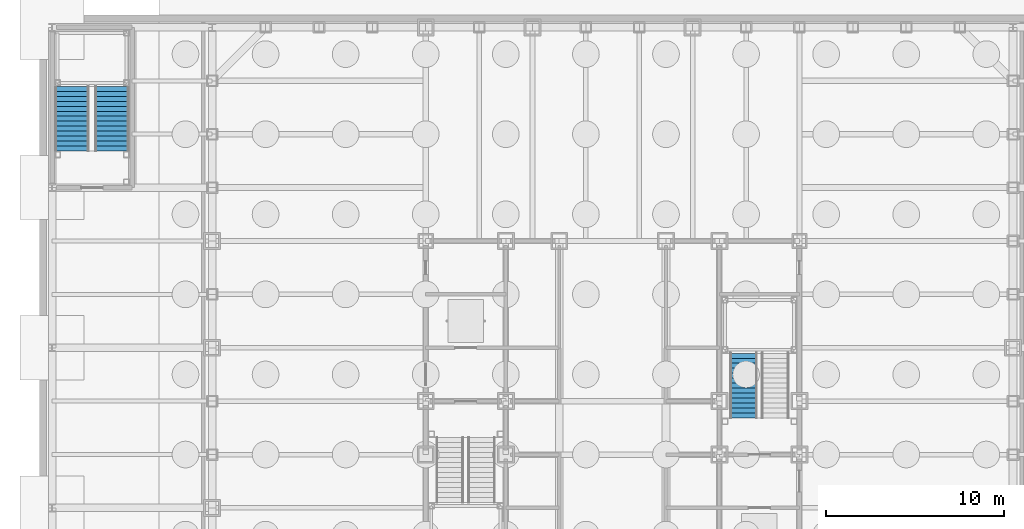
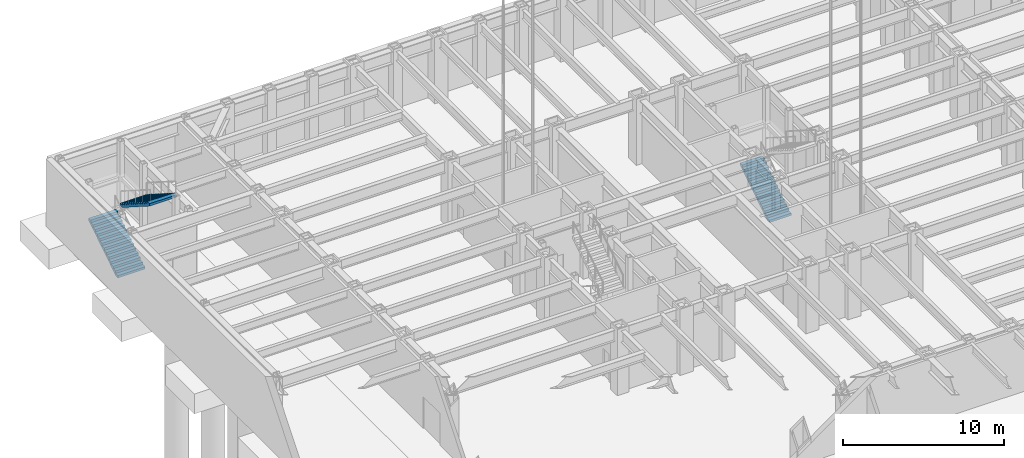
# One storey, part 11 of 18: 3 stair flights, 2 elements without a shape of their own.
"""IFC4 building model written with IfcOpenShell, lengths in metres."""

from ifc_helpers import new_model, si_unit, direction, frame, origin, place, context, subcontext, project, spatial, faceted_brep, material, type_object, element, aggregate, save


model = new_model("IFC4")

# Units and contexts
model_context = context("Model", 3, precision=1e-05, world=origin(), true_north=direction((0.0, 1.0)))
body_context = subcontext(model_context, "Body", "Model", "MODEL_VIEW")
ifc_project = project(units=[si_unit("LENGTHUNIT", "METRE"), si_unit("AREAUNIT", "SQUARE_METRE"), si_unit("VOLUMEUNIT", "CUBIC_METRE"), si_unit("PLANEANGLEUNIT", "RADIAN"), si_unit("MASSUNIT", "GRAM", prefix="KILO")], contexts=[model_context])

# Site, building, storey
site_placement = place(None, origin())
site = spatial("IfcSite", under=ifc_project, at=site_placement, CompositionType="ELEMENT")
building_placement = place(site_placement, origin())
building = spatial("IfcBuilding", under=site, at=building_placement, Name="Chuquiago Exchange Tower", CompositionType="ELEMENT")
storey_placement = place(building_placement, frame((0.0, 0.0, -5.0)))
storey = spatial("IfcBuildingStorey", under=building, at=storey_placement, Name="B1", CompositionType="ELEMENT", Elevation=-5.0)

# Stair, stair flight
ifc_material_1 = material(Name="Concrete C30/37, precast", Category="concrete")
stair_type_1 = type_object("IfcStairType", Name="ST2 half-turn stair 5000", PredefinedType="HALF_TURN_STAIR", material=ifc_material_1)
stair_1_placement = place(storey_placement, origin())
stair_1 = element("IfcStair", 1, at=stair_1_placement, inside=storey, type_object=stair_type_1, Name="Stair ST2 B1", PredefinedType="HALF_TURN_STAIR")
ifc_material_2 = material(Name="Concrete C30/37, precast", Category="concrete")
stair_flight_type_1 = type_object("IfcStairFlightType", Name="ST-F flight 1570 for 5000 storey", PredefinedType="STRAIGHT", material=ifc_material_2)
stair_flight_1_placement = place(storey_placement, frame((29.860107421875, 23.050048828125, 0.0), z_axis=(0.0, 0.0, 1.0), x_axis=(0.0, 1.0, 0.0)))
stair_flight_1 = element("IfcStairFlight", 2, at=stair_flight_1_placement, type_object=stair_flight_type_1, Name="ST2 flight 1", NumberOfRisers=14, NumberOfTreads=13, PredefinedType="STRAIGHT", RiserHeight=0.178571429, TreadLength=0.28, context=body_context, shape_type="Brep", body=[
    faceted_brep([(0.0, 0.78515625, 0.0), (0.0, 0.78515625, 0.178466796875), (0.280029296875, 0.78515625, 0.178466796875), (0.280029296875, 0.78515625, 0.357177734375), (0.56005859375, 0.78515625, 0.357177734375), (0.56005859375, 0.78515625, 0.53564453125), (0.840087890625, 0.78515625, 0.53564453125), (0.840087890625, 0.78515625, 0.71435546875), (1.1201171875, 0.78515625, 0.71435546875), (1.1201171875, 0.78515625, 0.892822265625), (1.39990234375, 0.78515625, 0.892822265625), (1.39990234375, 0.78515625, 1.071533203125), (1.679931640625, 0.78515625, 1.071533203125), (1.679931640625, 0.78515625, 1.25), (1.9599609375, 0.78515625, 1.25), (1.9599609375, 0.78515625, 1.428466796875), (2.239990234375, 0.78515625, 1.428466796875), (2.239990234375, 0.78515625, 1.607177734375), (2.52001953125, 0.78515625, 1.607177734375), (2.52001953125, 0.78515625, 1.78564453125), (2.800048828125, 0.78515625, 1.78564453125), (2.800048828125, 0.78515625, 1.96435546875), (3.080078125, 0.78515625, 1.96435546875), (3.080078125, 0.78515625, 2.142822265625), (3.360107421875, 0.78515625, 2.142822265625), (3.360107421875, 0.78515625, 2.321533203125), (3.639892578125, 0.78515625, 2.321533203125), (3.639892578125, 0.78515625, 2.1435546875), (0.27880859375, 0.78515625, 0.0), (0.27880859375, -0.78515625, 0.0), (3.639892578125, -0.78515625, 2.1435546875), (3.639892578125, -0.78515625, 2.321533203125), (3.360107421875, -0.78515625, 2.321533203125), (3.360107421875, -0.78515625, 2.142822265625), (3.080078125, -0.78515625, 2.142822265625), (3.080078125, -0.78515625, 1.96435546875), (2.800048828125, -0.78515625, 1.96435546875), (2.800048828125, -0.78515625, 1.78564453125), (2.52001953125, -0.78515625, 1.78564453125), (2.52001953125, -0.78515625, 1.607177734375), (2.239990234375, -0.78515625, 1.607177734375), (2.239990234375, -0.78515625, 1.428466796875), (1.9599609375, -0.78515625, 1.428466796875), (1.9599609375, -0.78515625, 1.25), (1.679931640625, -0.78515625, 1.25), (1.679931640625, -0.78515625, 1.071533203125), (1.39990234375, -0.78515625, 1.071533203125), (1.39990234375, -0.78515625, 0.892822265625), (1.1201171875, -0.78515625, 0.892822265625), (1.1201171875, -0.78515625, 0.71435546875), (0.840087890625, -0.78515625, 0.71435546875), (0.840087890625, -0.78515625, 0.53564453125), (0.56005859375, -0.78515625, 0.53564453125), (0.56005859375, -0.78515625, 0.357177734375), (0.280029296875, -0.78515625, 0.357177734375), (0.280029296875, -0.78515625, 0.178466796875), (0.0, -0.78515625, 0.178466796875), (0.0, -0.78515625, 0.0), (0.0, 0.392578125, 0.0), (0.0, 0.392578125, 0.178466796875), (0.0, 0.0, 0.0), (0.0, 0.0, 0.178466796875), (0.0, -0.392578125, 0.0), (0.0, -0.392578125, 0.178466796875), (0.280029296875, 0.392578125, 0.178466796875), (0.280029296875, 0.0, 0.178466796875), (0.280029296875, -0.392578125, 0.178466796875), (0.280029296875, 0.392578125, 0.357177734375), (0.280029296875, 0.0, 0.357177734375), (0.280029296875, -0.392578125, 0.357177734375), (0.56005859375, 0.392578125, 0.357177734375), (0.56005859375, 0.0, 0.357177734375), (0.56005859375, -0.392578125, 0.357177734375), (0.56005859375, 0.392578125, 0.53564453125), (0.56005859375, 0.0, 0.53564453125), (0.56005859375, -0.392578125, 0.53564453125), (0.840087890625, 0.392578125, 0.53564453125), (0.840087890625, 0.0, 0.53564453125), (0.840087890625, -0.392578125, 0.53564453125), (0.840087890625, 0.392578125, 0.71435546875), (0.840087890625, 0.0, 0.71435546875), (0.840087890625, -0.392578125, 0.71435546875), (1.1201171875, 0.392578125, 0.71435546875), (1.1201171875, 0.0, 0.71435546875), (1.1201171875, -0.392578125, 0.71435546875), (1.1201171875, 0.392578125, 0.892822265625), (1.1201171875, 0.0, 0.892822265625), (1.1201171875, -0.392578125, 0.892822265625), (1.39990234375, 0.392578125, 0.892822265625), (1.39990234375, 0.0, 0.892822265625), (1.39990234375, -0.392578125, 0.892822265625), (1.39990234375, 0.392578125, 1.071533203125), (1.39990234375, 0.0, 1.071533203125), (1.39990234375, -0.392578125, 1.071533203125), (1.679931640625, 0.392578125, 1.071533203125), (1.679931640625, 0.0, 1.071533203125), (1.679931640625, -0.392578125, 1.071533203125), (1.679931640625, 0.392578125, 1.25), (1.679931640625, 0.0, 1.25), (1.679931640625, -0.392578125, 1.25), (1.9599609375, 0.392578125, 1.25), (1.9599609375, 0.0, 1.25), (1.9599609375, -0.392578125, 1.25), (1.9599609375, 0.392578125, 1.428466796875), (1.9599609375, 0.0, 1.428466796875), (1.9599609375, -0.392578125, 1.428466796875), (2.239990234375, 0.392578125, 1.428466796875), (2.239990234375, 0.0, 1.428466796875), (2.239990234375, -0.392578125, 1.428466796875), (2.239990234375, 0.392578125, 1.607177734375), (2.239990234375, 0.0, 1.607177734375), (2.239990234375, -0.392578125, 1.607177734375), (2.52001953125, 0.392578125, 1.607177734375), (2.52001953125, 0.0, 1.607177734375), (2.52001953125, -0.392578125, 1.607177734375), (2.52001953125, 0.392578125, 1.78564453125), (2.52001953125, 0.0, 1.78564453125), (2.52001953125, -0.392578125, 1.78564453125), (2.800048828125, 0.392578125, 1.78564453125), (2.800048828125, 0.0, 1.78564453125), (2.800048828125, -0.392578125, 1.78564453125), (2.800048828125, 0.392578125, 1.96435546875), (2.800048828125, 0.0, 1.96435546875), (2.800048828125, -0.392578125, 1.96435546875), (3.080078125, 0.392578125, 1.96435546875), (3.080078125, 0.0, 1.96435546875), (3.080078125, -0.392578125, 1.96435546875), (3.080078125, 0.392578125, 2.142822265625), (3.080078125, 0.0, 2.142822265625), (3.080078125, -0.392578125, 2.142822265625), (3.360107421875, 0.392578125, 2.142822265625), (3.360107421875, 0.0, 2.142822265625), (3.360107421875, -0.392578125, 2.142822265625), (3.360107421875, 0.392578125, 2.321533203125), (3.360107421875, 0.0, 2.321533203125), (3.360107421875, -0.392578125, 2.321533203125), (3.639892578125, 0.392578125, 2.321533203125), (3.639892578125, 0.0, 2.321533203125), (3.639892578125, -0.392578125, 2.321533203125), (3.639892578125, 0.392578125, 2.1435546875), (3.639892578125, 0.0, 2.1435546875), (3.639892578125, -0.392578125, 2.1435546875), (0.27880859375, 0.392578125, 0.0), (0.27880859375, 0.0, 0.0), (0.27880859375, -0.392578125, 0.0)], [[[0, 1, 2, 3, 4, 5, 6, 7, 8, 9, 10, 11, 12, 13, 14, 15, 16, 17, 18, 19, 20, 21, 22, 23, 24, 25, 26, 27, 28]], [[29, 30, 31, 32, 33, 34, 35, 36, 37, 38, 39, 40, 41, 42, 43, 44, 45, 46, 47, 48, 49, 50, 51, 52, 53, 54, 55, 56, 57]], [[1, 0, 58, 59]], [[59, 58, 60, 61]], [[61, 60, 62, 63]], [[63, 62, 57, 56]], [[2, 1, 59, 64]], [[64, 59, 61, 65]], [[65, 61, 63, 66]], [[66, 63, 56, 55]], [[3, 2, 64, 67]], [[67, 64, 65, 68]], [[68, 65, 66, 69]], [[69, 66, 55, 54]], [[4, 3, 67, 70]], [[70, 67, 68, 71]], [[71, 68, 69, 72]], [[72, 69, 54, 53]], [[5, 4, 70, 73]], [[73, 70, 71, 74]], [[74, 71, 72, 75]], [[75, 72, 53, 52]], [[6, 5, 73, 76]], [[76, 73, 74, 77]], [[77, 74, 75, 78]], [[78, 75, 52, 51]], [[7, 6, 76, 79]], [[79, 76, 77, 80]], [[80, 77, 78, 81]], [[81, 78, 51, 50]], [[8, 7, 79, 82]], [[82, 79, 80, 83]], [[83, 80, 81, 84]], [[84, 81, 50, 49]], [[9, 8, 82, 85]], [[85, 82, 83, 86]], [[86, 83, 84, 87]], [[87, 84, 49, 48]], [[10, 9, 85, 88]], [[88, 85, 86, 89]], [[89, 86, 87, 90]], [[90, 87, 48, 47]], [[11, 10, 88, 91]], [[91, 88, 89, 92]], [[92, 89, 90, 93]], [[93, 90, 47, 46]], [[12, 11, 91, 94]], [[94, 91, 92, 95]], [[95, 92, 93, 96]], [[96, 93, 46, 45]], [[13, 12, 94, 97]], [[97, 94, 95, 98]], [[98, 95, 96, 99]], [[99, 96, 45, 44]], [[14, 13, 97, 100]], [[100, 97, 98, 101]], [[101, 98, 99, 102]], [[102, 99, 44, 43]], [[15, 14, 100, 103]], [[103, 100, 101, 104]], [[104, 101, 102, 105]], [[105, 102, 43, 42]], [[16, 15, 103, 106]], [[106, 103, 104, 107]], [[107, 104, 105, 108]], [[108, 105, 42, 41]], [[17, 16, 106, 109]], [[109, 106, 107, 110]], [[110, 107, 108, 111]], [[111, 108, 41, 40]], [[18, 17, 109, 112]], [[112, 109, 110, 113]], [[113, 110, 111, 114]], [[114, 111, 40, 39]], [[19, 18, 112, 115]], [[115, 112, 113, 116]], [[116, 113, 114, 117]], [[117, 114, 39, 38]], [[20, 19, 115, 118]], [[118, 115, 116, 119]], [[119, 116, 117, 120]], [[120, 117, 38, 37]], [[21, 20, 118, 121]], [[121, 118, 119, 122]], [[122, 119, 120, 123]], [[123, 120, 37, 36]], [[22, 21, 121, 124]], [[124, 121, 122, 125]], [[125, 122, 123, 126]], [[126, 123, 36, 35]], [[23, 22, 124, 127]], [[127, 124, 125, 128]], [[128, 125, 126, 129]], [[129, 126, 35, 34]], [[24, 23, 127, 130]], [[130, 127, 128, 131]], [[131, 128, 129, 132]], [[132, 129, 34, 33]], [[25, 24, 130, 133]], [[133, 130, 131, 134]], [[134, 131, 132, 135]], [[135, 132, 33, 32]], [[26, 25, 133, 136]], [[136, 133, 134, 137]], [[137, 134, 135, 138]], [[138, 135, 32, 31]], [[27, 26, 136, 139]], [[139, 136, 137, 140]], [[140, 137, 138, 141]], [[141, 138, 31, 30]], [[28, 27, 139, 142]], [[142, 139, 140, 143]], [[143, 140, 141, 144]], [[144, 141, 30, 29]], [[0, 28, 142, 58]], [[58, 142, 143, 60]], [[60, 143, 144, 62]], [[62, 144, 29, 57]]]),
])
aggregate(stair_1, [stair_flight_1])

# Stair, stair flights
ifc_material_3 = material(Name="Concrete C30/37, precast", Category="concrete")
stair_type_2 = type_object("IfcStairType", Name="PS3 half-turn stair 5000", PredefinedType="HALF_TURN_STAIR", material=ifc_material_3)
stair_2_placement = place(storey_placement, origin())
stair_2 = element("IfcStair", 3, at=stair_2_placement, inside=storey, type_object=stair_type_2, Name="Stair PS3 B1", PredefinedType="HALF_TURN_STAIR")
ifc_material_4 = material(Name="Concrete C30/37, precast", Category="concrete")
stair_flight_type_2 = type_object("IfcStairFlightType", Name="ST-F flight 1950 for 5000 storey", PredefinedType="STRAIGHT", material=ifc_material_4)
stair_flight_2_placement = place(storey_placement, frame((-7.875, 38.050048828125, 0.0), z_axis=(0.0, 0.0, 1.0), x_axis=(0.0, 1.0, 0.0)))
stair_flight_2 = element("IfcStairFlight", 4, at=stair_flight_2_placement, type_object=stair_flight_type_2, Name="PS3 flight 1", NumberOfRisers=14, NumberOfTreads=13, PredefinedType="STRAIGHT", RiserHeight=0.178571429, TreadLength=0.28, context=body_context, shape_type="Brep", body=[
    faceted_brep([(0.0, 0.97509765625, 0.0), (0.0, 0.97509765625, 0.178466796875), (0.280029296875, 0.97509765625, 0.178466796875), (0.280029296875, 0.97509765625, 0.357177734375), (0.56005859375, 0.97509765625, 0.357177734375), (0.56005859375, 0.97509765625, 0.53564453125), (0.840087890625, 0.97509765625, 0.53564453125), (0.840087890625, 0.97509765625, 0.71435546875), (1.1201171875, 0.97509765625, 0.71435546875), (1.1201171875, 0.97509765625, 0.892822265625), (1.39990234375, 0.97509765625, 0.892822265625), (1.39990234375, 0.97509765625, 1.071533203125), (1.679931640625, 0.97509765625, 1.071533203125), (1.679931640625, 0.97509765625, 1.25), (1.9599609375, 0.97509765625, 1.25), (1.9599609375, 0.97509765625, 1.428466796875), (2.239990234375, 0.97509765625, 1.428466796875), (2.239990234375, 0.97509765625, 1.607177734375), (2.52001953125, 0.97509765625, 1.607177734375), (2.52001953125, 0.97509765625, 1.78564453125), (2.800048828125, 0.97509765625, 1.78564453125), (2.800048828125, 0.97509765625, 1.96435546875), (3.080078125, 0.97509765625, 1.96435546875), (3.080078125, 0.97509765625, 2.142822265625), (3.360107421875, 0.97509765625, 2.142822265625), (3.360107421875, 0.97509765625, 2.321533203125), (3.639892578125, 0.97509765625, 2.321533203125), (3.639892578125, 0.97509765625, 2.1435546875), (0.27880859375, 0.97509765625, 0.0), (0.27880859375, -0.97509765625, 0.0), (3.639892578125, -0.97509765625, 2.1435546875), (3.639892578125, -0.97509765625, 2.321533203125), (3.360107421875, -0.97509765625, 2.321533203125), (3.360107421875, -0.97509765625, 2.142822265625), (3.080078125, -0.97509765625, 2.142822265625), (3.080078125, -0.97509765625, 1.96435546875), (2.800048828125, -0.97509765625, 1.96435546875), (2.800048828125, -0.97509765625, 1.78564453125), (2.52001953125, -0.97509765625, 1.78564453125), (2.52001953125, -0.97509765625, 1.607177734375), (2.239990234375, -0.97509765625, 1.607177734375), (2.239990234375, -0.97509765625, 1.428466796875), (1.9599609375, -0.97509765625, 1.428466796875), (1.9599609375, -0.97509765625, 1.25), (1.679931640625, -0.97509765625, 1.25), (1.679931640625, -0.97509765625, 1.071533203125), (1.39990234375, -0.97509765625, 1.071533203125), (1.39990234375, -0.97509765625, 0.892822265625), (1.1201171875, -0.97509765625, 0.892822265625), (1.1201171875, -0.97509765625, 0.71435546875), (0.840087890625, -0.97509765625, 0.71435546875), (0.840087890625, -0.97509765625, 0.53564453125), (0.56005859375, -0.97509765625, 0.53564453125), (0.56005859375, -0.97509765625, 0.357177734375), (0.280029296875, -0.97509765625, 0.357177734375), (0.280029296875, -0.97509765625, 0.178466796875), (0.0, -0.97509765625, 0.178466796875), (0.0, -0.97509765625, 0.0), (0.0, 0.487548828125, 0.0), (0.0, 0.487548828125, 0.178466796875), (0.0, 0.0, 0.0), (0.0, 0.0, 0.178466796875), (0.0, -0.487548828125, 0.0), (0.0, -0.487548828125, 0.178466796875), (0.280029296875, 0.487548828125, 0.178466796875), (0.280029296875, 0.0, 0.178466796875), (0.280029296875, -0.487548828125, 0.178466796875), (0.280029296875, 0.487548828125, 0.357177734375), (0.280029296875, 0.0, 0.357177734375), (0.280029296875, -0.487548828125, 0.357177734375), (0.56005859375, 0.487548828125, 0.357177734375), (0.56005859375, 0.0, 0.357177734375), (0.56005859375, -0.487548828125, 0.357177734375), (0.56005859375, 0.487548828125, 0.53564453125), (0.56005859375, 0.0, 0.53564453125), (0.56005859375, -0.487548828125, 0.53564453125), (0.840087890625, 0.487548828125, 0.53564453125), (0.840087890625, 0.0, 0.53564453125), (0.840087890625, -0.487548828125, 0.53564453125), (0.840087890625, 0.487548828125, 0.71435546875), (0.840087890625, 0.0, 0.71435546875), (0.840087890625, -0.487548828125, 0.71435546875), (1.1201171875, 0.487548828125, 0.71435546875), (1.1201171875, 0.0, 0.71435546875), (1.1201171875, -0.487548828125, 0.71435546875), (1.1201171875, 0.487548828125, 0.892822265625), (1.1201171875, 0.0, 0.892822265625), (1.1201171875, -0.487548828125, 0.892822265625), (1.39990234375, 0.487548828125, 0.892822265625), (1.39990234375, 0.0, 0.892822265625), (1.39990234375, -0.487548828125, 0.892822265625), (1.39990234375, 0.487548828125, 1.071533203125), (1.39990234375, 0.0, 1.071533203125), (1.39990234375, -0.487548828125, 1.071533203125), (1.679931640625, 0.487548828125, 1.071533203125), (1.679931640625, 0.0, 1.071533203125), (1.679931640625, -0.487548828125, 1.071533203125), (1.679931640625, 0.487548828125, 1.25), (1.679931640625, 0.0, 1.25), (1.679931640625, -0.487548828125, 1.25), (1.9599609375, 0.487548828125, 1.25), (1.9599609375, 0.0, 1.25), (1.9599609375, -0.487548828125, 1.25), (1.9599609375, 0.487548828125, 1.428466796875), (1.9599609375, 0.0, 1.428466796875), (1.9599609375, -0.487548828125, 1.428466796875), (2.239990234375, 0.487548828125, 1.428466796875), (2.239990234375, 0.0, 1.428466796875), (2.239990234375, -0.487548828125, 1.428466796875), (2.239990234375, 0.487548828125, 1.607177734375), (2.239990234375, 0.0, 1.607177734375), (2.239990234375, -0.487548828125, 1.607177734375), (2.52001953125, 0.487548828125, 1.607177734375), (2.52001953125, 0.0, 1.607177734375), (2.52001953125, -0.487548828125, 1.607177734375), (2.52001953125, 0.487548828125, 1.78564453125), (2.52001953125, 0.0, 1.78564453125), (2.52001953125, -0.487548828125, 1.78564453125), (2.800048828125, 0.487548828125, 1.78564453125), (2.800048828125, 0.0, 1.78564453125), (2.800048828125, -0.487548828125, 1.78564453125), (2.800048828125, 0.487548828125, 1.96435546875), (2.800048828125, 0.0, 1.96435546875), (2.800048828125, -0.487548828125, 1.96435546875), (3.080078125, 0.487548828125, 1.96435546875), (3.080078125, 0.0, 1.96435546875), (3.080078125, -0.487548828125, 1.96435546875), (3.080078125, 0.487548828125, 2.142822265625), (3.080078125, 0.0, 2.142822265625), (3.080078125, -0.487548828125, 2.142822265625), (3.360107421875, 0.487548828125, 2.142822265625), (3.360107421875, 0.0, 2.142822265625), (3.360107421875, -0.487548828125, 2.142822265625), (3.360107421875, 0.487548828125, 2.321533203125), (3.360107421875, 0.0, 2.321533203125), (3.360107421875, -0.487548828125, 2.321533203125), (3.639892578125, 0.487548828125, 2.321533203125), (3.639892578125, 0.0, 2.321533203125), (3.639892578125, -0.487548828125, 2.321533203125), (3.639892578125, 0.487548828125, 2.1435546875), (3.639892578125, 0.0, 2.1435546875), (3.639892578125, -0.487548828125, 2.1435546875), (0.27880859375, 0.487548828125, 0.0), (0.27880859375, 0.0, 0.0), (0.27880859375, -0.487548828125, 0.0)], [[[0, 1, 2, 3, 4, 5, 6, 7, 8, 9, 10, 11, 12, 13, 14, 15, 16, 17, 18, 19, 20, 21, 22, 23, 24, 25, 26, 27, 28]], [[29, 30, 31, 32, 33, 34, 35, 36, 37, 38, 39, 40, 41, 42, 43, 44, 45, 46, 47, 48, 49, 50, 51, 52, 53, 54, 55, 56, 57]], [[1, 0, 58, 59]], [[59, 58, 60, 61]], [[61, 60, 62, 63]], [[63, 62, 57, 56]], [[2, 1, 59, 64]], [[64, 59, 61, 65]], [[65, 61, 63, 66]], [[66, 63, 56, 55]], [[3, 2, 64, 67]], [[67, 64, 65, 68]], [[68, 65, 66, 69]], [[69, 66, 55, 54]], [[4, 3, 67, 70]], [[70, 67, 68, 71]], [[71, 68, 69, 72]], [[72, 69, 54, 53]], [[5, 4, 70, 73]], [[73, 70, 71, 74]], [[74, 71, 72, 75]], [[75, 72, 53, 52]], [[6, 5, 73, 76]], [[76, 73, 74, 77]], [[77, 74, 75, 78]], [[78, 75, 52, 51]], [[7, 6, 76, 79]], [[79, 76, 77, 80]], [[80, 77, 78, 81]], [[81, 78, 51, 50]], [[8, 7, 79, 82]], [[82, 79, 80, 83]], [[83, 80, 81, 84]], [[84, 81, 50, 49]], [[9, 8, 82, 85]], [[85, 82, 83, 86]], [[86, 83, 84, 87]], [[87, 84, 49, 48]], [[10, 9, 85, 88]], [[88, 85, 86, 89]], [[89, 86, 87, 90]], [[90, 87, 48, 47]], [[11, 10, 88, 91]], [[91, 88, 89, 92]], [[92, 89, 90, 93]], [[93, 90, 47, 46]], [[12, 11, 91, 94]], [[94, 91, 92, 95]], [[95, 92, 93, 96]], [[96, 93, 46, 45]], [[13, 12, 94, 97]], [[97, 94, 95, 98]], [[98, 95, 96, 99]], [[99, 96, 45, 44]], [[14, 13, 97, 100]], [[100, 97, 98, 101]], [[101, 98, 99, 102]], [[102, 99, 44, 43]], [[15, 14, 100, 103]], [[103, 100, 101, 104]], [[104, 101, 102, 105]], [[105, 102, 43, 42]], [[16, 15, 103, 106]], [[106, 103, 104, 107]], [[107, 104, 105, 108]], [[108, 105, 42, 41]], [[17, 16, 106, 109]], [[109, 106, 107, 110]], [[110, 107, 108, 111]], [[111, 108, 41, 40]], [[18, 17, 109, 112]], [[112, 109, 110, 113]], [[113, 110, 111, 114]], [[114, 111, 40, 39]], [[19, 18, 112, 115]], [[115, 112, 113, 116]], [[116, 113, 114, 117]], [[117, 114, 39, 38]], [[20, 19, 115, 118]], [[118, 115, 116, 119]], [[119, 116, 117, 120]], [[120, 117, 38, 37]], [[21, 20, 118, 121]], [[121, 118, 119, 122]], [[122, 119, 120, 123]], [[123, 120, 37, 36]], [[22, 21, 121, 124]], [[124, 121, 122, 125]], [[125, 122, 123, 126]], [[126, 123, 36, 35]], [[23, 22, 124, 127]], [[127, 124, 125, 128]], [[128, 125, 126, 129]], [[129, 126, 35, 34]], [[24, 23, 127, 130]], [[130, 127, 128, 131]], [[131, 128, 129, 132]], [[132, 129, 34, 33]], [[25, 24, 130, 133]], [[133, 130, 131, 134]], [[134, 131, 132, 135]], [[135, 132, 33, 32]], [[26, 25, 133, 136]], [[136, 133, 134, 137]], [[137, 134, 135, 138]], [[138, 135, 32, 31]], [[27, 26, 136, 139]], [[139, 136, 137, 140]], [[140, 137, 138, 141]], [[141, 138, 31, 30]], [[28, 27, 139, 142]], [[142, 139, 140, 143]], [[143, 140, 141, 144]], [[144, 141, 30, 29]], [[0, 28, 142, 58]], [[58, 142, 143, 60]], [[60, 143, 144, 62]], [[62, 144, 29, 57]]]),
])
stair_flight_3_placement = place(storey_placement, frame((-5.625, 41.68994140625, 2.5), z_axis=(0.0, 0.0, 1.0), x_axis=(0.0, -1.0, 0.0)))
stair_flight_3 = element("IfcStairFlight", 5, at=stair_flight_3_placement, type_object=stair_flight_type_2, Name="PS3 flight 2", NumberOfRisers=14, NumberOfTreads=13, PredefinedType="STRAIGHT", RiserHeight=0.178571429, TreadLength=0.28, context=body_context, shape_type="Brep", body=[
    faceted_brep([(0.0, 0.97509765625, 0.0), (0.0, 0.97509765625, 0.178466796875), (0.280029296875, 0.97509765625, 0.178466796875), (0.280029296875, 0.97509765625, 0.357177734375), (0.56005859375, 0.97509765625, 0.357177734375), (0.56005859375, 0.97509765625, 0.53564453125), (0.840087890625, 0.97509765625, 0.53564453125), (0.840087890625, 0.97509765625, 0.71435546875), (1.1201171875, 0.97509765625, 0.71435546875), (1.1201171875, 0.97509765625, 0.892822265625), (1.39990234375, 0.97509765625, 0.892822265625), (1.39990234375, 0.97509765625, 1.071533203125), (1.679931640625, 0.97509765625, 1.071533203125), (1.679931640625, 0.97509765625, 1.25), (1.9599609375, 0.97509765625, 1.25), (1.9599609375, 0.97509765625, 1.428466796875), (2.239990234375, 0.97509765625, 1.428466796875), (2.239990234375, 0.97509765625, 1.607177734375), (2.52001953125, 0.97509765625, 1.607177734375), (2.52001953125, 0.97509765625, 1.78564453125), (2.800048828125, 0.97509765625, 1.78564453125), (2.800048828125, 0.97509765625, 1.96435546875), (3.080078125, 0.97509765625, 1.96435546875), (3.080078125, 0.97509765625, 2.142822265625), (3.360107421875, 0.97509765625, 2.142822265625), (3.360107421875, 0.97509765625, 2.321533203125), (3.639892578125, 0.97509765625, 2.321533203125), (3.639892578125, 0.97509765625, 2.1435546875), (0.27880859375, 0.97509765625, 0.0), (0.27880859375, -0.97509765625, 0.0), (3.639892578125, -0.97509765625, 2.1435546875), (3.639892578125, -0.97509765625, 2.321533203125), (3.360107421875, -0.97509765625, 2.321533203125), (3.360107421875, -0.97509765625, 2.142822265625), (3.080078125, -0.97509765625, 2.142822265625), (3.080078125, -0.97509765625, 1.96435546875), (2.800048828125, -0.97509765625, 1.96435546875), (2.800048828125, -0.97509765625, 1.78564453125), (2.52001953125, -0.97509765625, 1.78564453125), (2.52001953125, -0.97509765625, 1.607177734375), (2.239990234375, -0.97509765625, 1.607177734375), (2.239990234375, -0.97509765625, 1.428466796875), (1.9599609375, -0.97509765625, 1.428466796875), (1.9599609375, -0.97509765625, 1.25), (1.679931640625, -0.97509765625, 1.25), (1.679931640625, -0.97509765625, 1.071533203125), (1.39990234375, -0.97509765625, 1.071533203125), (1.39990234375, -0.97509765625, 0.892822265625), (1.1201171875, -0.97509765625, 0.892822265625), (1.1201171875, -0.97509765625, 0.71435546875), (0.840087890625, -0.97509765625, 0.71435546875), (0.840087890625, -0.97509765625, 0.53564453125), (0.56005859375, -0.97509765625, 0.53564453125), (0.56005859375, -0.97509765625, 0.357177734375), (0.280029296875, -0.97509765625, 0.357177734375), (0.280029296875, -0.97509765625, 0.178466796875), (0.0, -0.97509765625, 0.178466796875), (0.0, -0.97509765625, 0.0), (0.0, 0.487548828125, 0.0), (0.0, 0.487548828125, 0.178466796875), (0.0, 0.0, 0.0), (0.0, 0.0, 0.178466796875), (0.0, -0.487548828125, 0.0), (0.0, -0.487548828125, 0.178466796875), (0.280029296875, 0.487548828125, 0.178466796875), (0.280029296875, 0.0, 0.178466796875), (0.280029296875, -0.487548828125, 0.178466796875), (0.280029296875, 0.487548828125, 0.357177734375), (0.280029296875, 0.0, 0.357177734375), (0.280029296875, -0.487548828125, 0.357177734375), (0.56005859375, 0.487548828125, 0.357177734375), (0.56005859375, 0.0, 0.357177734375), (0.56005859375, -0.487548828125, 0.357177734375), (0.56005859375, 0.487548828125, 0.53564453125), (0.56005859375, 0.0, 0.53564453125), (0.56005859375, -0.487548828125, 0.53564453125), (0.840087890625, 0.487548828125, 0.53564453125), (0.840087890625, 0.0, 0.53564453125), (0.840087890625, -0.487548828125, 0.53564453125), (0.840087890625, 0.487548828125, 0.71435546875), (0.840087890625, 0.0, 0.71435546875), (0.840087890625, -0.487548828125, 0.71435546875), (1.1201171875, 0.487548828125, 0.71435546875), (1.1201171875, 0.0, 0.71435546875), (1.1201171875, -0.487548828125, 0.71435546875), (1.1201171875, 0.487548828125, 0.892822265625), (1.1201171875, 0.0, 0.892822265625), (1.1201171875, -0.487548828125, 0.892822265625), (1.39990234375, 0.487548828125, 0.892822265625), (1.39990234375, 0.0, 0.892822265625), (1.39990234375, -0.487548828125, 0.892822265625), (1.39990234375, 0.487548828125, 1.071533203125), (1.39990234375, 0.0, 1.071533203125), (1.39990234375, -0.487548828125, 1.071533203125), (1.679931640625, 0.487548828125, 1.071533203125), (1.679931640625, 0.0, 1.071533203125), (1.679931640625, -0.487548828125, 1.071533203125), (1.679931640625, 0.487548828125, 1.25), (1.679931640625, 0.0, 1.25), (1.679931640625, -0.487548828125, 1.25), (1.9599609375, 0.487548828125, 1.25), (1.9599609375, 0.0, 1.25), (1.9599609375, -0.487548828125, 1.25), (1.9599609375, 0.487548828125, 1.428466796875), (1.9599609375, 0.0, 1.428466796875), (1.9599609375, -0.487548828125, 1.428466796875), (2.239990234375, 0.487548828125, 1.428466796875), (2.239990234375, 0.0, 1.428466796875), (2.239990234375, -0.487548828125, 1.428466796875), (2.239990234375, 0.487548828125, 1.607177734375), (2.239990234375, 0.0, 1.607177734375), (2.239990234375, -0.487548828125, 1.607177734375), (2.52001953125, 0.487548828125, 1.607177734375), (2.52001953125, 0.0, 1.607177734375), (2.52001953125, -0.487548828125, 1.607177734375), (2.52001953125, 0.487548828125, 1.78564453125), (2.52001953125, 0.0, 1.78564453125), (2.52001953125, -0.487548828125, 1.78564453125), (2.800048828125, 0.487548828125, 1.78564453125), (2.800048828125, 0.0, 1.78564453125), (2.800048828125, -0.487548828125, 1.78564453125), (2.800048828125, 0.487548828125, 1.96435546875), (2.800048828125, 0.0, 1.96435546875), (2.800048828125, -0.487548828125, 1.96435546875), (3.080078125, 0.487548828125, 1.96435546875), (3.080078125, 0.0, 1.96435546875), (3.080078125, -0.487548828125, 1.96435546875), (3.080078125, 0.487548828125, 2.142822265625), (3.080078125, 0.0, 2.142822265625), (3.080078125, -0.487548828125, 2.142822265625), (3.360107421875, 0.487548828125, 2.142822265625), (3.360107421875, 0.0, 2.142822265625), (3.360107421875, -0.487548828125, 2.142822265625), (3.360107421875, 0.487548828125, 2.321533203125), (3.360107421875, 0.0, 2.321533203125), (3.360107421875, -0.487548828125, 2.321533203125), (3.639892578125, 0.487548828125, 2.321533203125), (3.639892578125, 0.0, 2.321533203125), (3.639892578125, -0.487548828125, 2.321533203125), (3.639892578125, 0.487548828125, 2.1435546875), (3.639892578125, 0.0, 2.1435546875), (3.639892578125, -0.487548828125, 2.1435546875), (0.27880859375, 0.487548828125, 0.0), (0.27880859375, 0.0, 0.0), (0.27880859375, -0.487548828125, 0.0)], [[[0, 1, 2, 3, 4, 5, 6, 7, 8, 9, 10, 11, 12, 13, 14, 15, 16, 17, 18, 19, 20, 21, 22, 23, 24, 25, 26, 27, 28]], [[29, 30, 31, 32, 33, 34, 35, 36, 37, 38, 39, 40, 41, 42, 43, 44, 45, 46, 47, 48, 49, 50, 51, 52, 53, 54, 55, 56, 57]], [[1, 0, 58, 59]], [[59, 58, 60, 61]], [[61, 60, 62, 63]], [[63, 62, 57, 56]], [[2, 1, 59, 64]], [[64, 59, 61, 65]], [[65, 61, 63, 66]], [[66, 63, 56, 55]], [[3, 2, 64, 67]], [[67, 64, 65, 68]], [[68, 65, 66, 69]], [[69, 66, 55, 54]], [[4, 3, 67, 70]], [[70, 67, 68, 71]], [[71, 68, 69, 72]], [[72, 69, 54, 53]], [[5, 4, 70, 73]], [[73, 70, 71, 74]], [[74, 71, 72, 75]], [[75, 72, 53, 52]], [[6, 5, 73, 76]], [[76, 73, 74, 77]], [[77, 74, 75, 78]], [[78, 75, 52, 51]], [[7, 6, 76, 79]], [[79, 76, 77, 80]], [[80, 77, 78, 81]], [[81, 78, 51, 50]], [[8, 7, 79, 82]], [[82, 79, 80, 83]], [[83, 80, 81, 84]], [[84, 81, 50, 49]], [[9, 8, 82, 85]], [[85, 82, 83, 86]], [[86, 83, 84, 87]], [[87, 84, 49, 48]], [[10, 9, 85, 88]], [[88, 85, 86, 89]], [[89, 86, 87, 90]], [[90, 87, 48, 47]], [[11, 10, 88, 91]], [[91, 88, 89, 92]], [[92, 89, 90, 93]], [[93, 90, 47, 46]], [[12, 11, 91, 94]], [[94, 91, 92, 95]], [[95, 92, 93, 96]], [[96, 93, 46, 45]], [[13, 12, 94, 97]], [[97, 94, 95, 98]], [[98, 95, 96, 99]], [[99, 96, 45, 44]], [[14, 13, 97, 100]], [[100, 97, 98, 101]], [[101, 98, 99, 102]], [[102, 99, 44, 43]], [[15, 14, 100, 103]], [[103, 100, 101, 104]], [[104, 101, 102, 105]], [[105, 102, 43, 42]], [[16, 15, 103, 106]], [[106, 103, 104, 107]], [[107, 104, 105, 108]], [[108, 105, 42, 41]], [[17, 16, 106, 109]], [[109, 106, 107, 110]], [[110, 107, 108, 111]], [[111, 108, 41, 40]], [[18, 17, 109, 112]], [[112, 109, 110, 113]], [[113, 110, 111, 114]], [[114, 111, 40, 39]], [[19, 18, 112, 115]], [[115, 112, 113, 116]], [[116, 113, 114, 117]], [[117, 114, 39, 38]], [[20, 19, 115, 118]], [[118, 115, 116, 119]], [[119, 116, 117, 120]], [[120, 117, 38, 37]], [[21, 20, 118, 121]], [[121, 118, 119, 122]], [[122, 119, 120, 123]], [[123, 120, 37, 36]], [[22, 21, 121, 124]], [[124, 121, 122, 125]], [[125, 122, 123, 126]], [[126, 123, 36, 35]], [[23, 22, 124, 127]], [[127, 124, 125, 128]], [[128, 125, 126, 129]], [[129, 126, 35, 34]], [[24, 23, 127, 130]], [[130, 127, 128, 131]], [[131, 128, 129, 132]], [[132, 129, 34, 33]], [[25, 24, 130, 133]], [[133, 130, 131, 134]], [[134, 131, 132, 135]], [[135, 132, 33, 32]], [[26, 25, 133, 136]], [[136, 133, 134, 137]], [[137, 134, 135, 138]], [[138, 135, 32, 31]], [[27, 26, 136, 139]], [[139, 136, 137, 140]], [[140, 137, 138, 141]], [[141, 138, 31, 30]], [[28, 27, 139, 142]], [[142, 139, 140, 143]], [[143, 140, 141, 144]], [[144, 141, 30, 29]], [[0, 28, 142, 58]], [[58, 142, 143, 60]], [[60, 143, 144, 62]], [[62, 144, 29, 57]]]),
])
aggregate(stair_2, [stair_flight_2, stair_flight_3])

save(model, "model.ifc")
